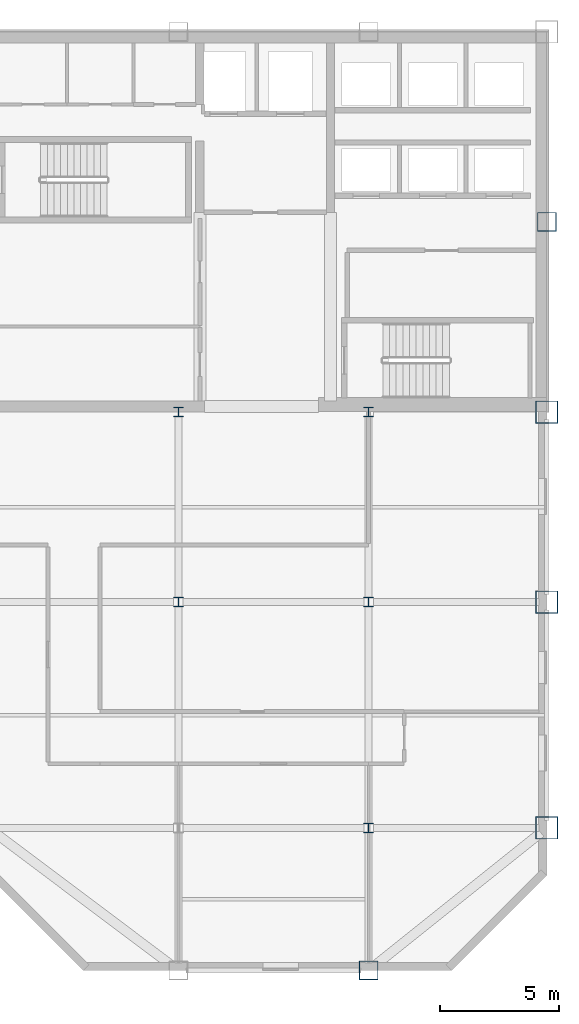
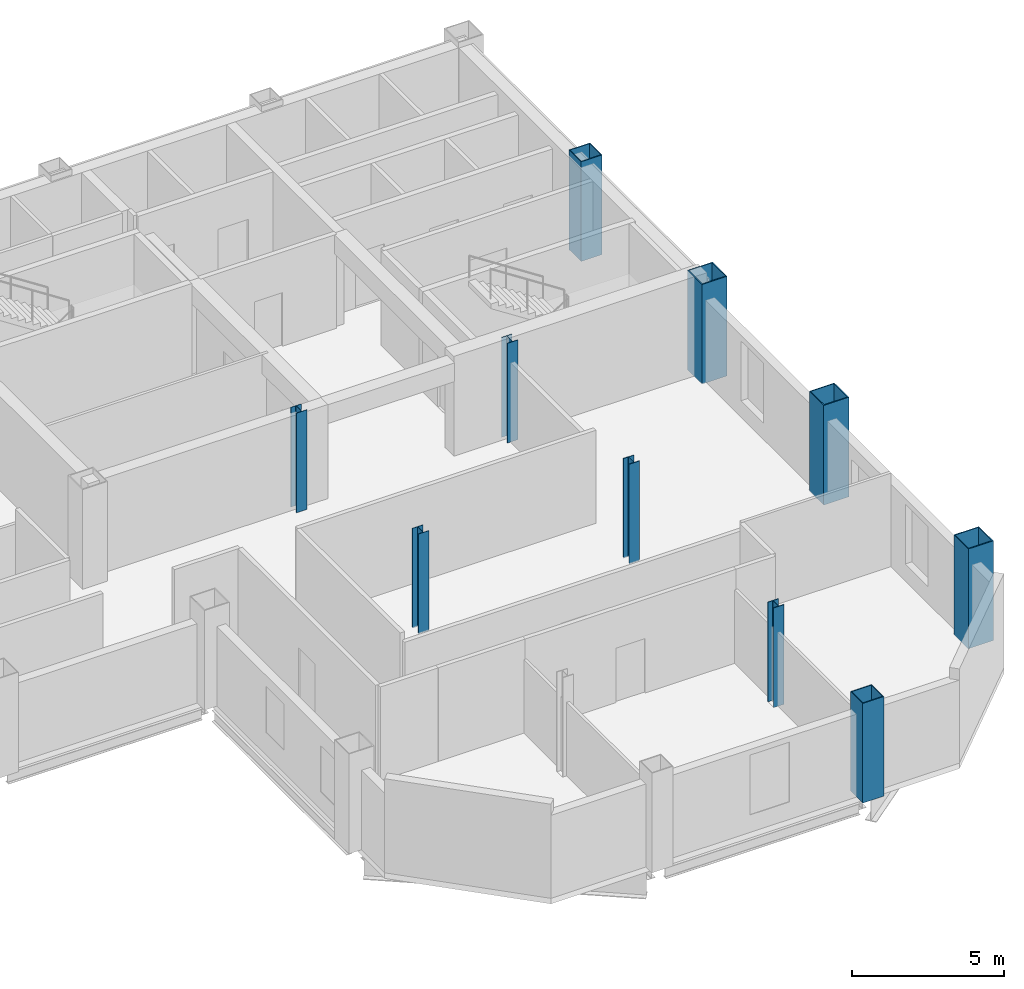
# One storey, part 2 of 9: 10 columns.
"""IFC4 building model written with IfcOpenShell, lengths in metres."""

import ifcopenshell
import ifcopenshell.guid

model = None  # the IFC model being written
_history = None  # IfcOwnerHistory: only IFC2X3 demands one
_inside = {}  # id of a spatial element -> (the spatial element, [elements in it])
_under = {}  # id of a project, library or spatial element -> (it, [spatial elements below it])
_declared = {}  # id of a project -> (the project, [libraries it declares])
_typed = {}  # id of a type object -> (the type object, [elements of that type])
_made_of = {}  # id of a material, layer set ... -> (it, [elements and type objects made of it])


def new_model(schema):
    """Start an empty IFC model of exactly this schema.

    Asked for "IFC4X3", IfcOpenShell would pick the latest addendum, in which some entities
    have other attributes; the version numbers below select the first issue.
    IFC2X3 requires an IfcOwnerHistory on every rooted entity: one is made here for all.
    """
    global model, _history
    if schema == "IFC4X3":
        model = ifcopenshell.file(schema_version=(4, 3, 0, 0))
    else:
        model = ifcopenshell.file(schema=schema)
    _inside.clear()
    _under.clear()
    _declared.clear()
    _typed.clear()
    _made_of.clear()
    _history = None
    if model.schema == "IFC2X3":
        org = make("IfcOrganization", Name="unknown")
        user = make(
            "IfcPersonAndOrganization",
            ThePerson=make("IfcPerson", FamilyName="unknown"),
            TheOrganization=org,
        )
        app = make(
            "IfcApplication",
            ApplicationDeveloper=org,
            Version="unknown",
            ApplicationFullName="unknown",
            ApplicationIdentifier="unknown",
        )
        _history = make(
            "IfcOwnerHistory",
            OwningUser=user,
            OwningApplication=app,
            ChangeAction="ADDED",
            CreationDate=0,
        )
    return model


def make(cls, **values):
    """One entity of the class cls with the attributes given. An attribute that is None is left unset."""
    return model.create_entity(
        cls, **{name: value for name, value in values.items() if value is not None}
    )


def rooted(cls, **values):
    """An entity with a GlobalId (a new one), such as an element, a storey or a relation."""
    return make(cls, GlobalId=ifcopenshell.guid.new(), OwnerHistory=_history, **values)


def si_unit(unit_type, name, prefix=None):
    """IfcSIUnit, for example si_unit("LENGTHUNIT", "METRE", prefix="MILLI")."""
    return make("IfcSIUnit", UnitType=unit_type, Prefix=prefix, Name=name)


def assignment(units):
    """IfcUnitAssignment: the units of a project."""
    return None if units is None else make("IfcUnitAssignment", Units=units)


def point(xyz):
    """IfcCartesianPoint."""
    return None if xyz is None else make("IfcCartesianPoint", Coordinates=xyz)


def direction(xyz):
    """IfcDirection."""
    return None if xyz is None else make("IfcDirection", DirectionRatios=xyz)


def frame(location, z_axis=None, x_axis=None):
    """IfcAxis2Placement3D, a coordinate frame: its origin and axes. An axis left out is left unset."""
    return make(
        "IfcAxis2Placement3D",
        Location=point(location),
        Axis=direction(z_axis),
        RefDirection=direction(x_axis),
    )


def frame_2d(location, x_axis=None):
    """IfcAxis2Placement2D, a coordinate frame in the plane: its origin and x axis."""
    return make(
        "IfcAxis2Placement2D", Location=point(location), RefDirection=direction(x_axis)
    )


def origin():
    """The frame at (0, 0, 0) with its axes left unset."""
    return frame((0.0, 0.0, 0.0))


def origin_2d():
    """The frame at (0, 0) in the plane with its x axis left unset."""
    return frame_2d((0.0, 0.0))


def place(relative_to, where):
    """IfcLocalPlacement: puts the frame where relative to a parent placement (None: the world)."""
    return make(
        "IfcLocalPlacement", PlacementRelTo=relative_to, RelativePlacement=where
    )


def context(
    kind, dimensions, precision=None, world=None, true_north=None, identifier=None
):
    """IfcGeometricRepresentationContext, for example the 3D "Model" context."""
    return make(
        "IfcGeometricRepresentationContext",
        ContextIdentifier=identifier,
        ContextType=kind,
        CoordinateSpaceDimension=dimensions,
        Precision=precision,
        WorldCoordinateSystem=world,
        TrueNorth=true_north,
    )


def subcontext(parent, identifier, kind, view, scale=None):
    """IfcGeometricRepresentationSubContext, for example "Body" below "Model"."""
    return make(
        "IfcGeometricRepresentationSubContext",
        ContextIdentifier=identifier,
        ContextType=kind,
        ParentContext=parent,
        TargetScale=scale,
        TargetView=view,
    )


def project(units=None, contexts=None):
    """IfcProject with its units and contexts."""
    return rooted(
        "IfcProject",
        Name="project",
        RepresentationContexts=contexts,
        UnitsInContext=assignment(units),
    )


def spatial(cls, under=None, at=None, **own):
    """A site, building, storey or space (cls), placed at a placement, below another one or the project."""
    s = rooted(cls, ObjectPlacement=at, **own)
    if under is not None:
        _under.setdefault(under.id(), (under, []))[1].append(s)
    return s


def profile(cls, at=None, kind="AREA", **sizes):
    """A parametric profile (cls). Its sizes go by their IFC names, for example OverallWidth=200.0."""
    return make(cls, ProfileType=kind, Position=at, **sizes)


def hollow_rectangle(**sizes):
    """IfcRectangleHollowProfileDef."""
    return profile("IfcRectangleHollowProfileDef", **sizes)


def i_section(**sizes):
    """IfcIShapeProfileDef."""
    return profile("IfcIShapeProfileDef", **sizes)


def extrude(swept, where, along, depth):
    """IfcExtrudedAreaSolid: the profile swept, set in the frame where, extruded along a direction by depth."""
    return make(
        "IfcExtrudedAreaSolid",
        SweptArea=swept,
        Position=where,
        ExtrudedDirection=direction(along),
        Depth=depth,
    )


def shape(context_of_items, identifier, shape_type, items):
    """IfcShapeRepresentation: the items that make up one representation, for example the "Body"."""
    return make(
        "IfcShapeRepresentation",
        ContextOfItems=context_of_items,
        RepresentationIdentifier=identifier,
        RepresentationType=shape_type,
        Items=items,
    )


def material(Name=None, Category=None):
    """IfcMaterial."""
    return make("IfcMaterial", Name=Name, Category=Category)


def material_profile(
    of_material, cross_section, Name=None, Category=None, Priority=None
):
    """IfcMaterialProfile: a cross section and its material."""
    return make(
        "IfcMaterialProfile",
        Name=Name,
        Material=of_material,
        Profile=cross_section,
        Priority=Priority,
        Category=Category,
    )


def profile_set(profiles, Name=None, composite=None):
    """IfcMaterialProfileSet."""
    return make(
        "IfcMaterialProfileSet",
        Name=Name,
        MaterialProfiles=profiles,
        CompositeProfile=composite,
    )


def made_of(thing, what):
    """Note that an element or type object is made of a material, layer set ...; save() writes the relation."""
    if what is not None:
        _made_of.setdefault(what.id(), (what, []))[1].append(thing)
    return thing


def type_object(cls, material=None, **own):
    """A type object (cls), such as IfcWallType, which elements share."""
    return made_of(rooted(cls, **own), material)


def element(
    cls,
    number,
    at=None,
    inside=None,
    cuts=None,
    type_object=None,
    material=None,
    context=None,
    identifier="Body",
    shape_type=None,
    held_by="IfcProductDefinitionShape",
    body=None,
    shapes=None,
    **own,
):
    """One element of the class cls, such as IfcWall. Its Tag is "e" and its number.

    at: its placement. inside: the storey or other place that contains it. cuts: it is an
    opening in that element (IfcRelVoidsElement). A single representation is given by context,
    identifier, shape_type and body (its items); several are given by shapes. held_by: the class
    of the entity that holds the representations. save() writes the other relations.
    """
    e = rooted(cls, Tag="e%d" % number, ObjectPlacement=at, **own)
    if body is not None:
        shapes = [shape(context, identifier, shape_type, body)]
    if shapes is not None:
        e.Representation = make(held_by, Representations=shapes)
    if inside is not None:
        _inside.setdefault(inside.id(), (inside, []))[1].append(e)
    if cuts is not None:
        rooted(
            "IfcRelVoidsElement", RelatingBuildingElement=cuts, RelatedOpeningElement=e
        )
    if type_object is not None:
        _typed.setdefault(type_object.id(), (type_object, []))[1].append(e)
    return made_of(e, material)


def aggregate(whole, parts):
    """IfcRelAggregates: a whole, such as a stair, and the parts it consists of."""
    return rooted("IfcRelAggregates", RelatingObject=whole, RelatedObjects=parts)


def save(model, path):
    """Write the relations noted so far, then the file.

    IfcRelAggregates (storeys below a building ...), IfcRelContainedInSpatialStructure (elements
    in a storey), IfcRelDefinesByType, IfcRelAssociatesMaterial and IfcRelDeclares: one each for
    every whole, place, type object, material and project.
    """
    for whole, parts in _under.values():
        aggregate(whole, parts)
    for where, things in _inside.values():
        rooted(
            "IfcRelContainedInSpatialStructure",
            RelatedElements=things,
            RelatingStructure=where,
        )
    for kind, things in _typed.values():
        rooted("IfcRelDefinesByType", RelatedObjects=things, RelatingType=kind)
    for what, things in _made_of.values():
        rooted("IfcRelAssociatesMaterial", RelatedObjects=things, RelatingMaterial=what)
    for by, libraries in _declared.values():
        rooted("IfcRelDeclares", RelatingContext=by, RelatedDefinitions=libraries)
    model.write(path)


model = new_model("IFC4")

# Units and contexts
model_context = context("Model", 3, precision=1e-05, world=origin(), true_north=direction((0.0, 1.0)))
body_context = subcontext(model_context, "Body", "Model", "MODEL_VIEW")
ifc_project = project(units=[si_unit("LENGTHUNIT", "METRE"), si_unit("AREAUNIT", "SQUARE_METRE"), si_unit("VOLUMEUNIT", "CUBIC_METRE"), si_unit("PLANEANGLEUNIT", "RADIAN"), si_unit("MASSUNIT", "GRAM", prefix="KILO")], contexts=[model_context])

# Site, building, storey
site_placement = place(None, origin())
site = spatial("IfcSite", under=ifc_project, at=site_placement, CompositionType="ELEMENT")
building_placement = place(site_placement, origin())
building = spatial("IfcBuilding", under=site, at=building_placement, Name="Qianrong Seaharbour Tower", CompositionType="ELEMENT")
storey_placement = place(building_placement, frame((0.0, 0.0, 221.800048828125)))
storey = spatial("IfcBuildingStorey", under=building, at=storey_placement, Name="L53", CompositionType="ELEMENT", Elevation=221.800048828125)

# Columns
ifc_material = material(Name="Structural steel SN490B", Category="steel")
ifc_material_profile_1 = material_profile(ifc_material, hollow_rectangle(XDim=0.949951171875, YDim=0.949951171875, WallThickness=0.035888671875, at=origin_2d()), Name="BOX950x950x36")
ifc_profile_set_1 = profile_set([ifc_material_profile_1], Name="Structural steel SN490B")
column_type_1 = type_object("IfcColumnType", Name="COL-CFT-950", PredefinedType="COLUMN", material=ifc_profile_set_1)
for number, where, z_axis, x_axis, name in (
    (1, (64.0, 18.5, 0.0), (0.0, 0.0, 1.0), (1.0, 0.0, 0.0), "L53 Column MC-4 at G9/GD"),
    (2, (64.0, 28.0, 0.0), (0.0, 0.0, 1.0), (1.0, 0.0, 0.0), "L53 Column MC-4 at G9/GE"),
    (3, (64.0, 36.0, 0.0), (0.0, 0.0, 1.0), (1.0, 0.0, 0.0), "L53 Column MC-4 at G9/GF"),
):
    element("IfcColumn", number, at=place(storey_placement, frame(where, z_axis=z_axis, x_axis=x_axis)), inside=storey, type_object=column_type_1, Name=name, PredefinedType="COLUMN", context=body_context, shape_type="SweptSolid", body=[
        extrude(hollow_rectangle(XDim=0.949951171875, YDim=0.949951171875, WallThickness=0.035888671875, at=origin_2d()), origin(), (0.0, 0.0, 1.0), 4.0),
    ])
ifc_material_profile_2 = material_profile(ifc_material, i_section(OverallWidth=0.39990234375, OverallDepth=0.39990234375, WebThickness=0.012939453125, FlangeThickness=0.02099609375, FilletRadius=0.02197265625, at=origin_2d()), Name="H400x400x13x21")
ifc_profile_set_2 = profile_set([ifc_material_profile_2], Name="Structural steel SN490B")
column_type_2 = type_object("IfcColumnType", Name="COL-INT-H400", PredefinedType="COLUMN", material=ifc_profile_set_2)
for number, where, z_axis, x_axis, name in (
    (4, (48.5, 28.0, 0.0), (0.0, 0.0, 1.0), (1.0, 0.0, 0.0), "L53 Column IC-3 at G7/GE"),
    (5, (48.5, 36.0, 0.0), (0.0, 0.0, 1.0), (1.0, 0.0, 0.0), "L53 Column IC-3 at G7/GF"),
    (6, (56.5, 18.5, 0.0), (0.0, 0.0, 1.0), (1.0, 0.0, 0.0), "L53 Column IC-3 at G8/GD"),
    (7, (56.5, 28.0, 0.0), (0.0, 0.0, 1.0), (1.0, 0.0, 0.0), "L53 Column IC-3 at G8/GE"),
    (8, (56.5, 36.0, 0.0), (0.0, 0.0, 1.0), (1.0, 0.0, 0.0), "L53 Column IC-3 at G8/GF"),
):
    element("IfcColumn", number, at=place(storey_placement, frame(where, z_axis=z_axis, x_axis=x_axis)), inside=storey, type_object=column_type_2, Name=name, PredefinedType="COLUMN", context=body_context, shape_type="SweptSolid", body=[
        extrude(i_section(OverallWidth=0.39990234375, OverallDepth=0.39990234375, WebThickness=0.012939453125, FlangeThickness=0.02099609375, FilletRadius=0.02197265625, at=origin_2d()), origin(), (0.0, 0.0, 1.0), 4.0),
    ])
ifc_material_profile_3 = material_profile(ifc_material, hollow_rectangle(XDim=0.800048828125, YDim=0.800048828125, WallThickness=0.031982421875, at=origin_2d()), Name="BOX800x800x32")
ifc_profile_set_3 = profile_set([ifc_material_profile_3], Name="Structural steel SN490B")
column_type_3 = type_object("IfcColumnType", Name="COL-PER-800", PredefinedType="COLUMN", material=ifc_profile_set_3)
for number, where, z_axis, x_axis, name in (
    (9, (56.5, 12.5, 0.0), (0.0, 0.0, 1.0), (1.0, 0.0, 0.0), "L53 Column PC-3 at G8/GC"),
    (10, (64.0, 44.0, 0.0), (0.0, 0.0, 1.0), (1.0, 0.0, 0.0), "L53 Column PC-3 at G9/GG"),
):
    element("IfcColumn", number, at=place(storey_placement, frame(where, z_axis=z_axis, x_axis=x_axis)), inside=storey, type_object=column_type_3, Name=name, PredefinedType="COLUMN", context=body_context, shape_type="SweptSolid", body=[
        extrude(hollow_rectangle(XDim=0.800048828125, YDim=0.800048828125, WallThickness=0.031982421875, at=origin_2d()), origin(), (0.0, 0.0, 1.0), 4.0),
    ])

save(model, "model.ifc")
